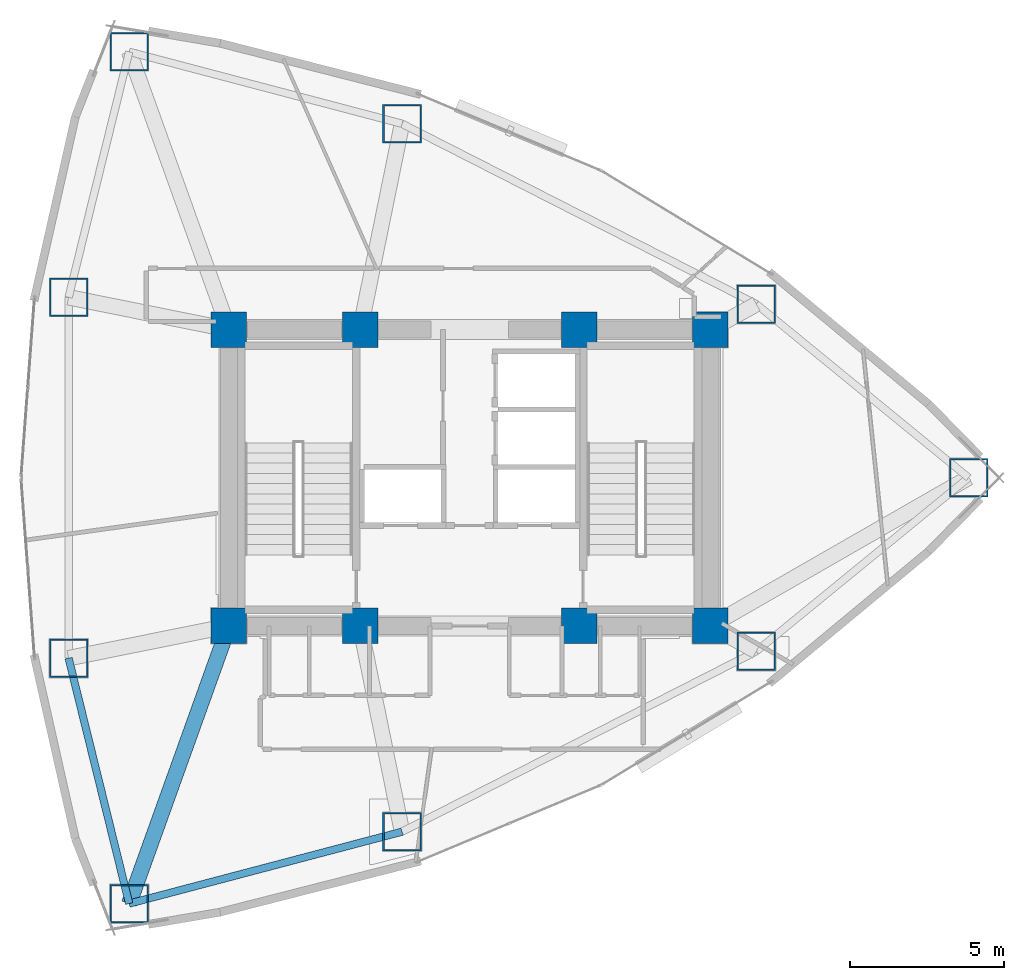
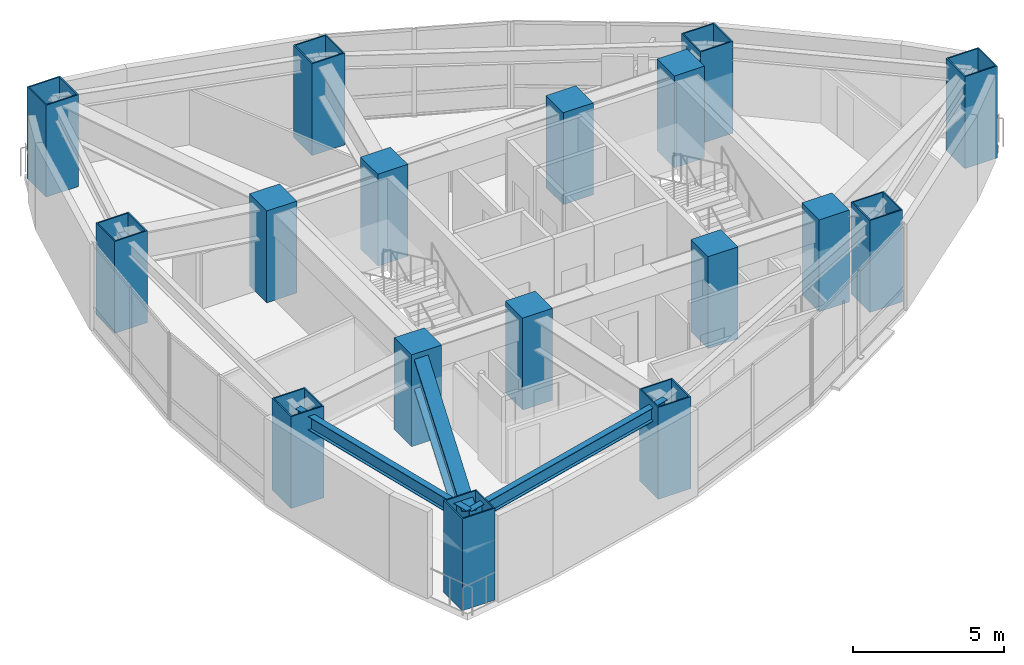
# One storey, part 1 of 17: 17 columns, 3 beams.
"""IFC4 building model written with IfcOpenShell, lengths in metres."""

from ifc_helpers import new_model, si_unit, direction, frame, origin, origin_2d, place, context, subcontext, project, spatial, rectangle, hollow_rectangle, i_section, extrude, material, material_profile, profile_set, type_object, element, save


model = new_model("IFC4")

# Units and contexts
model_context = context("Model", 3, precision=1e-05, world=origin(), true_north=direction((0.0, 1.0)))
body_context = subcontext(model_context, "Body", "Model", "MODEL_VIEW")
ifc_project = project(units=[si_unit("LENGTHUNIT", "METRE"), si_unit("AREAUNIT", "SQUARE_METRE"), si_unit("VOLUMEUNIT", "CUBIC_METRE"), si_unit("PLANEANGLEUNIT", "RADIAN"), si_unit("MASSUNIT", "GRAM", prefix="KILO")], contexts=[model_context])

# Site, building, storey
site_placement = place(None, origin())
site = spatial("IfcSite", under=ifc_project, at=site_placement, CompositionType="ELEMENT")
building_placement = place(site_placement, origin())
building = spatial("IfcBuilding", under=site, at=building_placement, Name="Menara Vayukalpa", CompositionType="ELEMENT")
storey_placement = place(building_placement, frame((0.0, 0.0, 133.739990234375)))
storey = spatial("IfcBuildingStorey", under=building, at=storey_placement, Name="L33", CompositionType="ELEMENT", Elevation=133.739990234375)

# Columns
ifc_material_1 = material(Name="Concrete C80/95", Category="concrete")
ifc_material_profile_1 = material_profile(ifc_material_1, rectangle(XDim=1.14990234375, YDim=1.14990234375, at=origin_2d()), Name="RC 1150x1150")
ifc_profile_set_1 = profile_set([ifc_material_profile_1], Name="Concrete C80/95")
column_type_1 = type_object("IfcColumnType", Name="COL-CC1", PredefinedType="COLUMN", material=ifc_profile_set_1)
for number, where, z_axis, x_axis, name in (
    (1, (17.800048828125, 17.199951171875, 0.0), (0.0, 0.0, 1.0), (1.0, 0.0, 0.0), "L33 Core Pilaster Column CC1"),
    (2, (22.050048828125, 17.199951171875, 0.0), (0.0, 0.0, 1.0), (1.0, 0.0, 0.0), "L33 Core Pilaster Column CC2"),
    (3, (29.14990234375, 17.199951171875, 0.0), (0.0, 0.0, 1.0), (1.0, 0.0, 0.0), "L33 Core Pilaster Column CC3"),
    (4, (33.39990234375, 17.199951171875, 0.0), (0.0, 0.0, 1.0), (1.0, 0.0, 0.0), "L33 Core Pilaster Column CC4"),
    (5, (17.800048828125, 26.800048828125, 0.0), (0.0, 0.0, 1.0), (1.0, 0.0, 0.0), "L33 Core Pilaster Column CC5"),
    (6, (22.050048828125, 26.800048828125, 0.0), (0.0, 0.0, 1.0), (1.0, 0.0, 0.0), "L33 Core Pilaster Column CC6"),
    (7, (29.14990234375, 26.800048828125, 0.0), (0.0, 0.0, 1.0), (1.0, 0.0, 0.0), "L33 Core Pilaster Column CC7"),
    (8, (33.39990234375, 26.800048828125, 0.0), (0.0, 0.0, 1.0), (1.0, 0.0, 0.0), "L33 Core Pilaster Column CC8"),
):
    element("IfcColumn", number, at=place(storey_placement, frame(where, z_axis=z_axis, x_axis=x_axis)), inside=storey, type_object=column_type_1, Name=name, PredefinedType="COLUMN", context=body_context, shape_type="SweptSolid", body=[
        extrude(rectangle(XDim=1.14990234375, YDim=1.14990234375, at=origin_2d()), origin(), (0.0, 0.0, 1.0), 3.719970703125),
    ])
ifc_material_2 = material(Name="Steel S460", Category="steel")
ifc_material_profile_2 = material_profile(ifc_material_2, hollow_rectangle(XDim=1.25, YDim=1.25, WallThickness=0.050048828125, at=origin_2d()), Name="BOX 1250x1250x50")
ifc_profile_set_2 = profile_set([ifc_material_profile_2], Name="Steel S460")
column_type_2 = type_object("IfcColumnType", Name="COL-MC2", PredefinedType="COLUMN", material=ifc_profile_set_2)
for number, where, z_axis, x_axis, name in (
    (9, (41.761962890625, 22.0, 0.0), (0.0, 0.0, 1.0), (1.0, 0.0, 0.0), "L33 Perimeter Mega Column P01"),
    (10, (34.88671875, 27.62158203125, 0.0), (0.0, 0.0, 1.0), (1.0, 0.0, 0.0), "L33 Perimeter Mega Column P02"),
    (11, (23.408203125, 33.46728515625, 0.0), (0.0, 0.0, 1.0), (1.0, 0.0, 0.0), "L33 Perimeter Mega Column P03"),
    (12, (14.569091796875, 35.79736328125, 0.0), (0.0, 0.0, 1.0), (1.0, 0.0, 0.0), "L33 Perimeter Mega Column P04"),
    (13, (12.606689453125, 27.845703125, 0.0), (0.0, 0.0, 1.0), (1.0, 0.0, 0.0), "L33 Perimeter Mega Column P05"),
    (14, (12.606689453125, 16.154296875, 0.0), (0.0, 0.0, 1.0), (1.0, 0.0, 0.0), "L33 Perimeter Mega Column P06"),
    (15, (14.569091796875, 8.20263671875, 0.0), (0.0, 0.0, 1.0), (1.0, 0.0, 0.0), "L33 Perimeter Mega Column P07"),
    (16, (23.408203125, 10.53271484375, 0.0), (0.0, 0.0, 1.0), (1.0, 0.0, 0.0), "L33 Perimeter Mega Column P08"),
    (17, (34.88671875, 16.37841796875, 0.0), (0.0, 0.0, 1.0), (1.0, 0.0, 0.0), "L33 Perimeter Mega Column P09"),
):
    element("IfcColumn", number, at=place(storey_placement, frame(where, z_axis=z_axis, x_axis=x_axis)), inside=storey, type_object=column_type_2, Name=name, PredefinedType="COLUMN", context=body_context, shape_type="SweptSolid", body=[
        extrude(hollow_rectangle(XDim=1.25, YDim=1.25, WallThickness=0.050048828125, at=origin_2d()), origin(), (0.0, 0.0, 1.0), 3.719970703125),
    ])

# Beams
ifc_material_3 = material(Name="Steel S355", Category="steel")
ifc_material_profile_3 = material_profile(ifc_material_3, i_section(OverallWidth=0.239990234375, OverallDepth=0.550048828125, WebThickness=0.010986328125, FlangeThickness=0.01904296875, at=origin_2d()), Name="WF 550x240x11x19")
ifc_profile_set_3 = profile_set([ifc_material_profile_3], Name="Steel S355")
beam_type_1 = type_object("IfcBeamType", Name="BM-SP2", PredefinedType="SPANDREL", material=ifc_profile_set_3)
beam_1_placement = place(storey_placement, frame((12.606689453125, 16.154296875, 3.22509765625), z_axis=(0.239602739234, -0.970871014786, 0.0), x_axis=(0.970871014786, 0.239602739234, 0.0)))
element("IfcBeam", 18, at=beam_1_placement, inside=storey, type_object=beam_type_1, Name="L33 Perimeter Spandrel Beam SP06", PredefinedType="SPANDREL", context=body_context, shape_type="SweptSolid", body=[
    extrude(i_section(OverallWidth=0.239990234375, OverallDepth=0.550048828125, WebThickness=0.010986328125, FlangeThickness=0.01904296875, at=origin_2d()), origin(), (0.0, 0.0, 1.0), 8.190185546875),
])
beam_2_placement = place(storey_placement, frame((14.569091796875, 8.20263671875, 3.22509765625), z_axis=(0.966966857313, 0.254902131921, 0.0), x_axis=(-0.254902131921, 0.966966857313, 0.0)))
element("IfcBeam", 19, at=beam_2_placement, inside=storey, type_object=beam_type_1, Name="L33 Perimeter Spandrel Beam SP07", PredefinedType="SPANDREL", context=body_context, shape_type="SweptSolid", body=[
    extrude(i_section(OverallWidth=0.239990234375, OverallDepth=0.550048828125, WebThickness=0.010986328125, FlangeThickness=0.01904296875, at=origin_2d()), origin(), (0.0, 0.0, 1.0), 9.14111328125),
])
ifc_material_4 = material(Name="Steel S460", Category="steel")
ifc_material_profile_4 = material_profile(ifc_material_4, i_section(OverallWidth=0.5, OverallDepth=1.25, WebThickness=0.028076171875, FlangeThickness=0.054931640625, at=origin_2d()), Name="WG 1250x500x28x55")
ifc_profile_set_4 = profile_set([ifc_material_profile_4], Name="Steel S460")
beam_type_2 = type_object("IfcBeamType", Name="BM-TG2", PredefinedType="BEAM", material=ifc_profile_set_4)
beam_3_placement = place(storey_placement, frame((17.715576171875, 16.964599609375, 2.875), z_axis=(-0.337975542909, -0.941154892882, 0.0), x_axis=(0.941154892882, -0.337975542909, 0.0)))
element("IfcBeam", 20, at=beam_3_placement, inside=storey, type_object=beam_type_2, Name="L33 Primary Radial Girder RG07", PredefinedType="BEAM", context=body_context, shape_type="SweptSolid", body=[
    extrude(i_section(OverallWidth=0.5, OverallDepth=1.25, WebThickness=0.028076171875, FlangeThickness=0.054931640625, at=origin_2d()), origin(), (0.0, 0.0, 1.0), 9.309814453125),
])

save(model, "model.ifc")
